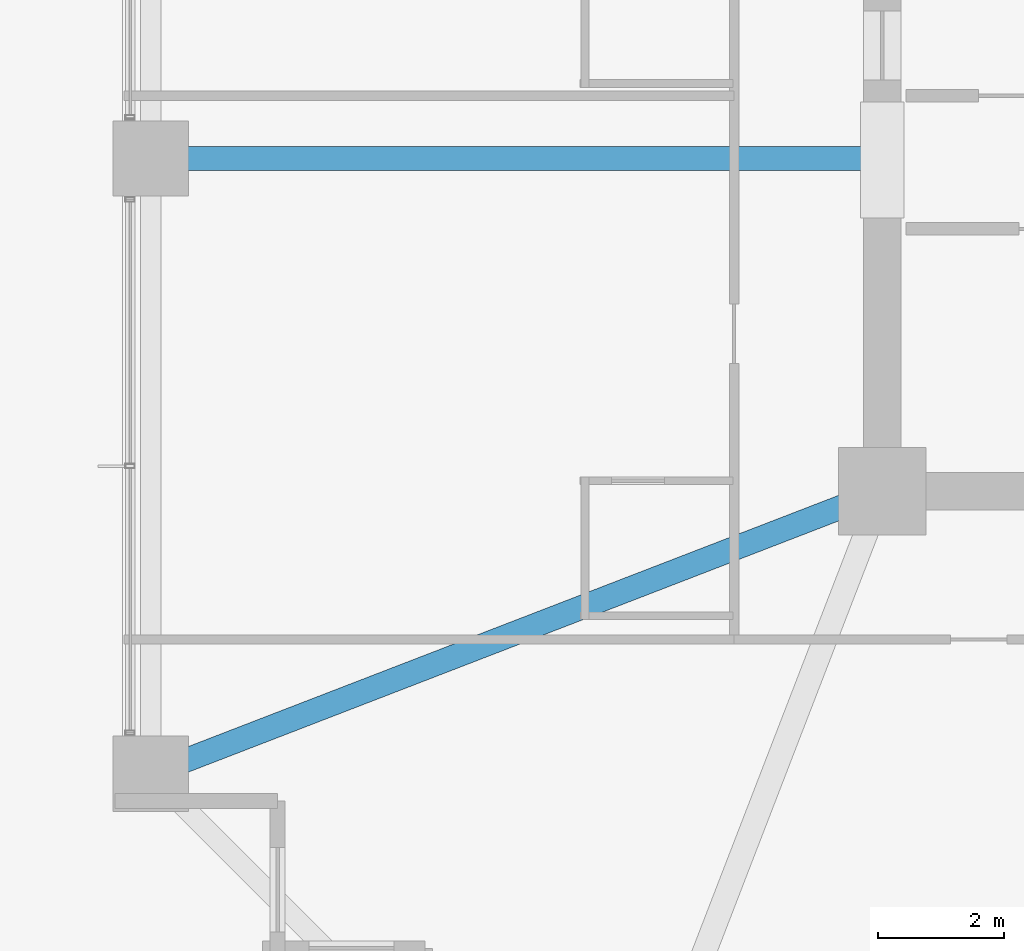
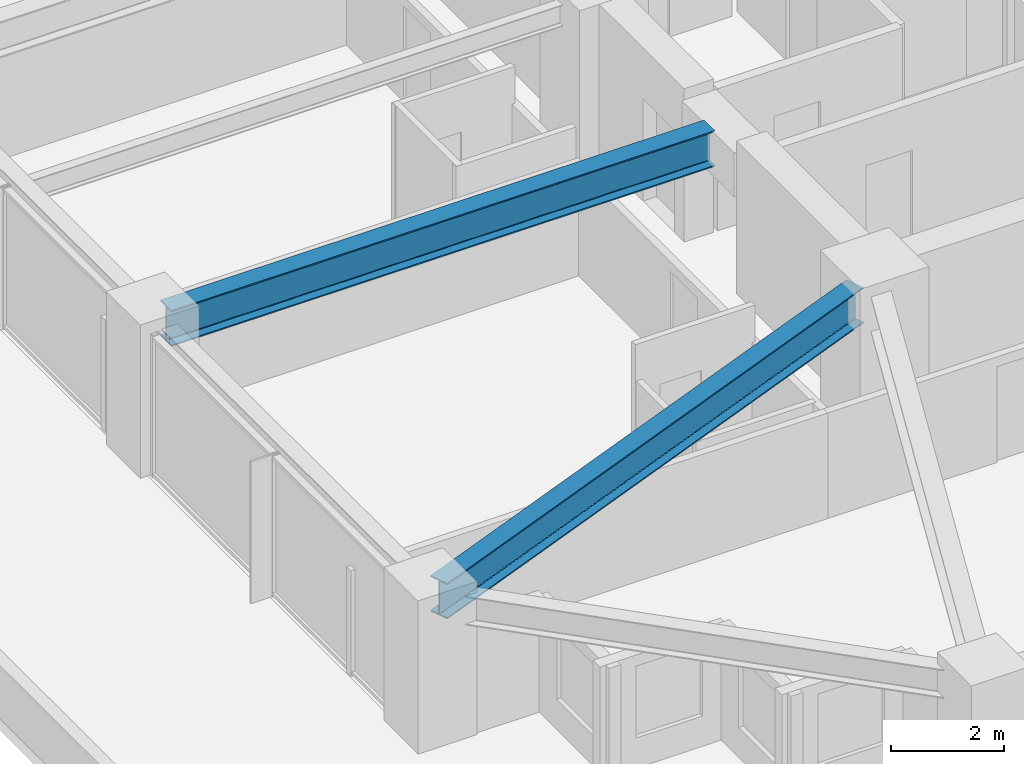
# One storey, part 7 of 36: 2 beams.
"""IFC4 building model written with IfcOpenShell, lengths in metres."""

import ifcopenshell
import ifcopenshell.guid

model = None  # the IFC model being written
_history = None  # IfcOwnerHistory: only IFC2X3 demands one
_inside = {}  # id of a spatial element -> (the spatial element, [elements in it])
_under = {}  # id of a project, library or spatial element -> (it, [spatial elements below it])
_declared = {}  # id of a project -> (the project, [libraries it declares])
_typed = {}  # id of a type object -> (the type object, [elements of that type])
_made_of = {}  # id of a material, layer set ... -> (it, [elements and type objects made of it])


def new_model(schema):
    """Start an empty IFC model of exactly this schema.

    Asked for "IFC4X3", IfcOpenShell would pick the latest addendum, in which some entities
    have other attributes; the version numbers below select the first issue.
    IFC2X3 requires an IfcOwnerHistory on every rooted entity: one is made here for all.
    """
    global model, _history
    if schema == "IFC4X3":
        model = ifcopenshell.file(schema_version=(4, 3, 0, 0))
    else:
        model = ifcopenshell.file(schema=schema)
    _inside.clear()
    _under.clear()
    _declared.clear()
    _typed.clear()
    _made_of.clear()
    _history = None
    if model.schema == "IFC2X3":
        org = make("IfcOrganization", Name="unknown")
        user = make(
            "IfcPersonAndOrganization",
            ThePerson=make("IfcPerson", FamilyName="unknown"),
            TheOrganization=org,
        )
        app = make(
            "IfcApplication",
            ApplicationDeveloper=org,
            Version="unknown",
            ApplicationFullName="unknown",
            ApplicationIdentifier="unknown",
        )
        _history = make(
            "IfcOwnerHistory",
            OwningUser=user,
            OwningApplication=app,
            ChangeAction="ADDED",
            CreationDate=0,
        )
    return model


def make(cls, **values):
    """One entity of the class cls with the attributes given. An attribute that is None is left unset."""
    return model.create_entity(
        cls, **{name: value for name, value in values.items() if value is not None}
    )


def rooted(cls, **values):
    """An entity with a GlobalId (a new one), such as an element, a storey or a relation."""
    return make(cls, GlobalId=ifcopenshell.guid.new(), OwnerHistory=_history, **values)


def si_unit(unit_type, name, prefix=None):
    """IfcSIUnit, for example si_unit("LENGTHUNIT", "METRE", prefix="MILLI")."""
    return make("IfcSIUnit", UnitType=unit_type, Prefix=prefix, Name=name)


def assignment(units):
    """IfcUnitAssignment: the units of a project."""
    return None if units is None else make("IfcUnitAssignment", Units=units)


def point(xyz):
    """IfcCartesianPoint."""
    return None if xyz is None else make("IfcCartesianPoint", Coordinates=xyz)


def direction(xyz):
    """IfcDirection."""
    return None if xyz is None else make("IfcDirection", DirectionRatios=xyz)


def frame(location, z_axis=None, x_axis=None):
    """IfcAxis2Placement3D, a coordinate frame: its origin and axes. An axis left out is left unset."""
    return make(
        "IfcAxis2Placement3D",
        Location=point(location),
        Axis=direction(z_axis),
        RefDirection=direction(x_axis),
    )


def frame_2d(location, x_axis=None):
    """IfcAxis2Placement2D, a coordinate frame in the plane: its origin and x axis."""
    return make(
        "IfcAxis2Placement2D", Location=point(location), RefDirection=direction(x_axis)
    )


def origin():
    """The frame at (0, 0, 0) with its axes left unset."""
    return frame((0.0, 0.0, 0.0))


def origin_2d():
    """The frame at (0, 0) in the plane with its x axis left unset."""
    return frame_2d((0.0, 0.0))


def place(relative_to, where):
    """IfcLocalPlacement: puts the frame where relative to a parent placement (None: the world)."""
    return make(
        "IfcLocalPlacement", PlacementRelTo=relative_to, RelativePlacement=where
    )


def context(
    kind, dimensions, precision=None, world=None, true_north=None, identifier=None
):
    """IfcGeometricRepresentationContext, for example the 3D "Model" context."""
    return make(
        "IfcGeometricRepresentationContext",
        ContextIdentifier=identifier,
        ContextType=kind,
        CoordinateSpaceDimension=dimensions,
        Precision=precision,
        WorldCoordinateSystem=world,
        TrueNorth=true_north,
    )


def subcontext(parent, identifier, kind, view, scale=None):
    """IfcGeometricRepresentationSubContext, for example "Body" below "Model"."""
    return make(
        "IfcGeometricRepresentationSubContext",
        ContextIdentifier=identifier,
        ContextType=kind,
        ParentContext=parent,
        TargetScale=scale,
        TargetView=view,
    )


def project(units=None, contexts=None):
    """IfcProject with its units and contexts."""
    return rooted(
        "IfcProject",
        Name="project",
        RepresentationContexts=contexts,
        UnitsInContext=assignment(units),
    )


def spatial(cls, under=None, at=None, **own):
    """A site, building, storey or space (cls), placed at a placement, below another one or the project."""
    s = rooted(cls, ObjectPlacement=at, **own)
    if under is not None:
        _under.setdefault(under.id(), (under, []))[1].append(s)
    return s


def profile(cls, at=None, kind="AREA", **sizes):
    """A parametric profile (cls). Its sizes go by their IFC names, for example OverallWidth=200.0."""
    return make(cls, ProfileType=kind, Position=at, **sizes)


def i_section(**sizes):
    """IfcIShapeProfileDef."""
    return profile("IfcIShapeProfileDef", **sizes)


def extrude(swept, where, along, depth):
    """IfcExtrudedAreaSolid: the profile swept, set in the frame where, extruded along a direction by depth."""
    return make(
        "IfcExtrudedAreaSolid",
        SweptArea=swept,
        Position=where,
        ExtrudedDirection=direction(along),
        Depth=depth,
    )


def shape(context_of_items, identifier, shape_type, items):
    """IfcShapeRepresentation: the items that make up one representation, for example the "Body"."""
    return make(
        "IfcShapeRepresentation",
        ContextOfItems=context_of_items,
        RepresentationIdentifier=identifier,
        RepresentationType=shape_type,
        Items=items,
    )


def material(Name=None, Category=None):
    """IfcMaterial."""
    return make("IfcMaterial", Name=Name, Category=Category)


def material_profile(
    of_material, cross_section, Name=None, Category=None, Priority=None
):
    """IfcMaterialProfile: a cross section and its material."""
    return make(
        "IfcMaterialProfile",
        Name=Name,
        Material=of_material,
        Profile=cross_section,
        Priority=Priority,
        Category=Category,
    )


def profile_set(profiles, Name=None, composite=None):
    """IfcMaterialProfileSet."""
    return make(
        "IfcMaterialProfileSet",
        Name=Name,
        MaterialProfiles=profiles,
        CompositeProfile=composite,
    )


def made_of(thing, what):
    """Note that an element or type object is made of a material, layer set ...; save() writes the relation."""
    if what is not None:
        _made_of.setdefault(what.id(), (what, []))[1].append(thing)
    return thing


def type_object(cls, material=None, **own):
    """A type object (cls), such as IfcWallType, which elements share."""
    return made_of(rooted(cls, **own), material)


def element(
    cls,
    number,
    at=None,
    inside=None,
    cuts=None,
    type_object=None,
    material=None,
    context=None,
    identifier="Body",
    shape_type=None,
    held_by="IfcProductDefinitionShape",
    body=None,
    shapes=None,
    **own,
):
    """One element of the class cls, such as IfcWall. Its Tag is "e" and its number.

    at: its placement. inside: the storey or other place that contains it. cuts: it is an
    opening in that element (IfcRelVoidsElement). A single representation is given by context,
    identifier, shape_type and body (its items); several are given by shapes. held_by: the class
    of the entity that holds the representations. save() writes the other relations.
    """
    e = rooted(cls, Tag="e%d" % number, ObjectPlacement=at, **own)
    if body is not None:
        shapes = [shape(context, identifier, shape_type, body)]
    if shapes is not None:
        e.Representation = make(held_by, Representations=shapes)
    if inside is not None:
        _inside.setdefault(inside.id(), (inside, []))[1].append(e)
    if cuts is not None:
        rooted(
            "IfcRelVoidsElement", RelatingBuildingElement=cuts, RelatedOpeningElement=e
        )
    if type_object is not None:
        _typed.setdefault(type_object.id(), (type_object, []))[1].append(e)
    return made_of(e, material)


def aggregate(whole, parts):
    """IfcRelAggregates: a whole, such as a stair, and the parts it consists of."""
    return rooted("IfcRelAggregates", RelatingObject=whole, RelatedObjects=parts)


def save(model, path):
    """Write the relations noted so far, then the file.

    IfcRelAggregates (storeys below a building ...), IfcRelContainedInSpatialStructure (elements
    in a storey), IfcRelDefinesByType, IfcRelAssociatesMaterial and IfcRelDeclares: one each for
    every whole, place, type object, material and project.
    """
    for whole, parts in _under.values():
        aggregate(whole, parts)
    for where, things in _inside.values():
        rooted(
            "IfcRelContainedInSpatialStructure",
            RelatedElements=things,
            RelatingStructure=where,
        )
    for kind, things in _typed.values():
        rooted("IfcRelDefinesByType", RelatedObjects=things, RelatingType=kind)
    for what, things in _made_of.values():
        rooted("IfcRelAssociatesMaterial", RelatedObjects=things, RelatingMaterial=what)
    for by, libraries in _declared.values():
        rooted("IfcRelDeclares", RelatingContext=by, RelatedDefinitions=libraries)
    model.write(path)


model = new_model("IFC4")

# Units and contexts
model_context = context("Model", 3, precision=1e-05, world=origin(), true_north=direction((0.0, 1.0)))
body_context = subcontext(model_context, "Body", "Model", "MODEL_VIEW")
ifc_project = project(units=[si_unit("LENGTHUNIT", "METRE"), si_unit("AREAUNIT", "SQUARE_METRE"), si_unit("VOLUMEUNIT", "CUBIC_METRE"), si_unit("PLANEANGLEUNIT", "RADIAN"), si_unit("MASSUNIT", "GRAM", prefix="KILO")], contexts=[model_context])

# Site, building, storey
site_placement = place(None, origin())
site = spatial("IfcSite", under=ifc_project, at=site_placement, CompositionType="ELEMENT")
building_placement = place(site_placement, origin())
building = spatial("IfcBuilding", under=site, at=building_placement, Name="Kolvaren Belvedere", CompositionType="ELEMENT")
storey_placement = place(building_placement, frame((0.0, 0.0, 23.800048828125)))
storey = spatial("IfcBuildingStorey", under=building, at=storey_placement, Name="L06", CompositionType="ELEMENT", Elevation=23.800048828125)

# Beams
ifc_material = material(Name="Structural steel ASTM A992 Grade 50", Category="steel")
ifc_material_profile = material_profile(ifc_material, i_section(OverallWidth=0.381103515625, OverallDepth=0.77294921875, WebThickness=0.0166015625, FlangeThickness=0.027099609375, FilletRadius=0.02392578125, at=origin_2d()), Name="W30X173")
ifc_profile_set = profile_set([ifc_material_profile], Name="Structural steel ASTM A992 Grade 50")
beam_type = type_object("IfcBeamType", Name="BM-GIRD-W30X173", PredefinedType="BEAM", material=ifc_profile_set)
beam_1_placement = place(storey_placement, frame((-10.199951171875, -4.60009765625, 2.67333984375), z_axis=(-1.0, 0.0, 0.0), x_axis=(0.0, -1.0, 0.0)))
element("IfcBeam", 1, at=beam_1_placement, inside=storey, type_object=beam_type, Name="L06 West Radial Girder M", PredefinedType="BEAM", context=body_context, shape_type="SweptSolid", body=[
    extrude(i_section(OverallWidth=0.381103515625, OverallDepth=0.77294921875, WebThickness=0.0166015625, FlangeThickness=0.027099609375, FilletRadius=0.02392578125, at=origin_2d()), origin(), (0.0, 0.0, 1.0), 11.080078125),
])
beam_2_placement = place(storey_placement, frame((-10.4130859375, -10.09814453125, 2.67333984375), z_axis=(-0.932829382313, -0.360318391835, 0.0), x_axis=(0.360318391835, -0.932829382313, 0.0)))
element("IfcBeam", 2, at=beam_2_placement, inside=storey, type_object=beam_type, Name="L06 Corner Core-to-Perimeter Girder CC1-W1", PredefinedType="BEAM", context=body_context, shape_type="SweptSolid", body=[
    extrude(i_section(OverallWidth=0.381103515625, OverallDepth=0.77294921875, WebThickness=0.0166015625, FlangeThickness=0.027099609375, FilletRadius=0.02392578125, at=origin_2d()), origin(), (0.0, 0.0, 1.0), 11.698974609375),
])

save(model, "model.ifc")
